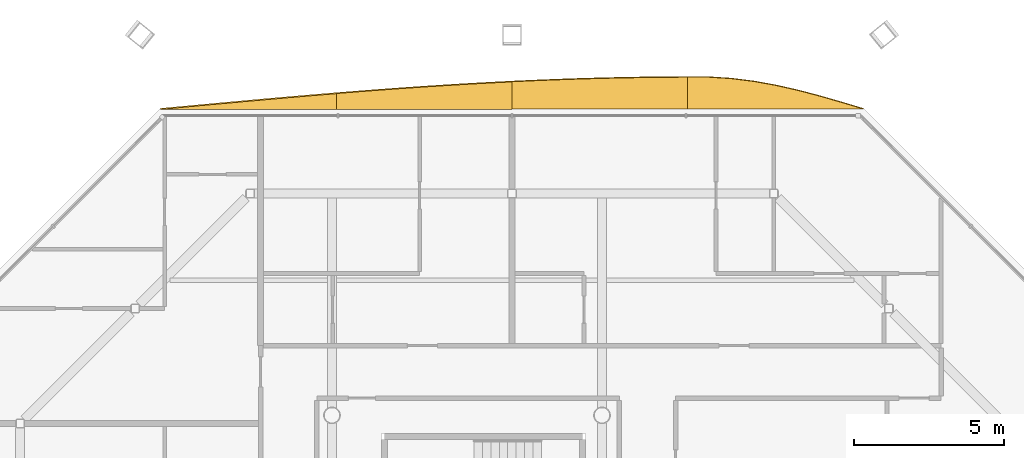
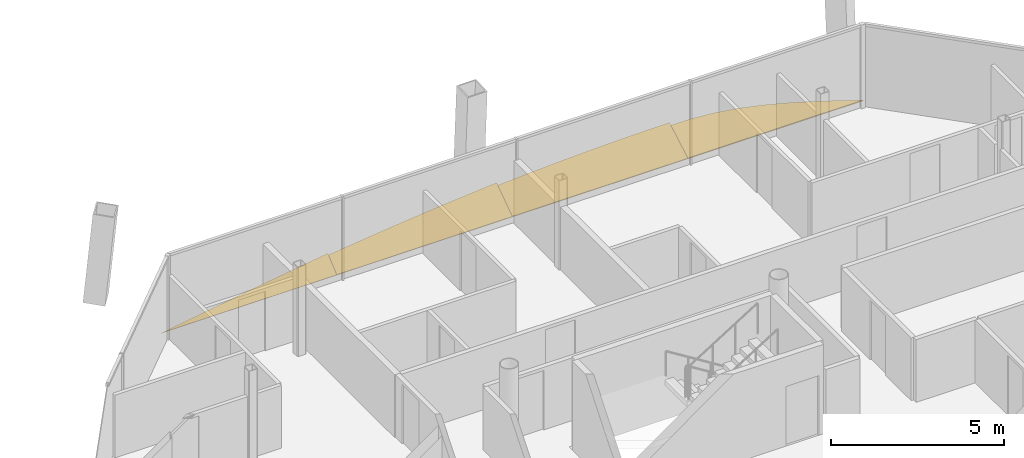
# One storey, part 18 of 18: 4 shading devices.
"""IFC4 building model written with IfcOpenShell, lengths in metres."""

from ifc_helpers import new_model, si_unit, direction, frame, origin, place, context, subcontext, project, spatial, polyline, outline, extrude, material, layer, layer_set, type_object, element, save


model = new_model("IFC4")

# Units and contexts
model_context = context("Model", 3, precision=1e-05, world=origin(), true_north=direction((0.0, 1.0)))
body_context = subcontext(model_context, "Body", "Model", "MODEL_VIEW")
ifc_project = project(units=[si_unit("LENGTHUNIT", "METRE"), si_unit("AREAUNIT", "SQUARE_METRE"), si_unit("VOLUMEUNIT", "CUBIC_METRE"), si_unit("PLANEANGLEUNIT", "RADIAN"), si_unit("MASSUNIT", "GRAM", prefix="KILO")], contexts=[model_context])

# Site, building, storey
site_placement = place(None, origin())
site = spatial("IfcSite", under=ifc_project, at=site_placement, CompositionType="ELEMENT")
building_placement = place(site_placement, origin())
building = spatial("IfcBuilding", under=site, at=building_placement, Name="Tskaro Facet Tower", CompositionType="ELEMENT")
storey_placement = place(building_placement, frame((0.0, 0.0, 223.5)))
storey = spatial("IfcBuildingStorey", under=building, at=storey_placement, Name="L57", CompositionType="ELEMENT", Elevation=223.5)

# Shading devices
ifc_material = material(Name="Bronze anodised aluminium 6063-T6", Category="aluminium")
ifc_layer = layer(ifc_material, 0.06005859375, Name="Bronze anodised aluminium 6063-T6")
ifc_layer_set = layer_set([ifc_layer], Name="Bronze anodised aluminium 6063-T6")
shading_device_type = type_object("IfcShadingDeviceType", Name="Bronze sun blade (FN1)", PredefinedType="USERDEFINED", material=ifc_layer_set)
shading_device_1_placement = place(storey_placement, frame((8.712890625, 19.209716796875, 0.054443359375), z_axis=(-6.908961e-06, -0.422571751973, 0.906329473419), x_axis=(-0.999999999976, 2.919532e-06, -6.261795e-06)))
element("IfcShadingDevice", 1, at=shading_device_1_placement, inside=storey, type_object=shading_device_type, Name="Fin blade north 1", ObjectType="FIN", PredefinedType="USERDEFINED", context=body_context, shape_type="SweptSolid", body=[
    extrude(outline(polyline([(0.0, 0.0), (5.856445312360226, 2.4803010667402535e-21), (5.856445312811587, -1.1747048841438614), (5.528320312716212, -1.175250594763701), (5.124267577554204, -1.1674925411734816), (4.392333984050525, -1.1144106301749184), (3.6601562499346296, -1.0133794756004497), (2.9282226556308575, -0.8687647624087927), (2.1960449225242473, -0.6865842453990114), (1.464111328075165, -0.4749054789562346), (0.7319335938653966, -0.242696042822826), (0.0, 0.0)])), origin(), (0.0, 0.0, -1.0), 0.06005859375),
])
shading_device_2_placement = place(storey_placement, frame((2.8564453125, 19.205078125, 0.052001953125), z_axis=(-2.896171e-06, -0.500005857867, 0.866022021712), x_axis=(-0.999999999996, 1.448102e-06, -2.508148e-06)))
element("IfcShadingDevice", 2, at=shading_device_2_placement, inside=storey, type_object=shading_device_type, Name="Fin blade north 2", ObjectType="FIN", PredefinedType="USERDEFINED", context=body_context, shape_type="SweptSolid", body=[
    extrude(outline(polyline([(0.0, 0.0), (5.856445312475439, 0.0), (5.856445312484196, -1.05321555384609), (5.124267578172412, -1.0918252901123773), (4.392333984340043, -1.1259534821725432), (3.6601562499958935, -1.1552666271262981), (2.92822265613116, -1.1800982278739318), (2.1960449220134435, -1.1997812786148656), (1.464111328021603, -1.2147713539920324), (0.7319335937767802, -1.2246128793624993), (-8.33670881610116e-11, -1.22942792646891), (0.0, 0.0)])), origin(), (0.0, 0.0, -1.0), 0.06005859375),
])
shading_device_3_placement = place(storey_placement, frame((-3.0, 19.20068359375, 0.049072265625), z_axis=(1.1422536e-05, -0.573694362664, 0.819069458664), x_axis=(-0.999999999935, -6.553045e-06, 9.355851e-06)))
element("IfcShadingDevice", 3, at=shading_device_3_placement, inside=storey, type_object=shading_device_type, Name="Fin blade north 3", ObjectType="FIN", PredefinedType="USERDEFINED", context=body_context, shape_type="SweptSolid", body=[
    extrude(outline(polyline([(0.0, 0.0), (5.856445312117942, 0.0), (5.856445311191866, -0.6393049125311673), (5.124511718858078, -0.7106277283435313), (4.392333984309085, -0.7791703962878844), (3.6604003897104374, -0.8443929180048182), (2.928222655412033, -0.906095325364763), (2.196289062663841, -0.9642776183677186), (1.464111328847334, -1.0182597365540078), (0.7321777352124809, -1.0680416799236303), (-1.774829695532412e-09, -1.1134833863763172), (0.0, 0.0)])), origin(), (0.0, 0.0, -1.0), 0.06005859375),
])
shading_device_4_placement = place(storey_placement, frame((-8.8564453125, 19.196533203125, 0.0458984375), z_axis=(2.9433768e-05, -0.643010784702, 0.765857121068), x_axis=(-0.999999999567, -1.892623e-05, 2.254206e-05)))
element("IfcShadingDevice", 4, at=shading_device_4_placement, inside=storey, type_object=shading_device_type, Name="Fin blade north 4", ObjectType="FIN", PredefinedType="USERDEFINED", context=body_context, shape_type="SweptSolid", body=[
    extrude(outline(polyline([(0.0, 0.0), (5.856445309963145, -9.921204266961014e-21), (5.12451171605164, -0.08924500206600502), (4.392333980632468, -0.17814604224080394), (3.6604003941967442, -0.2663291668518383), (2.9282226543637186, -0.35351039757060654), (2.196289060865825, -0.4389418270519918), (1.4641113278326146, -0.5228104321322734), (0.7321777347483333, -0.604428289029039), (-5.140240042649408e-09, -0.6836384126873617), (0.0, 0.0)])), origin(), (0.0, 0.0, -1.0), 0.06005859375),
])

save(model, "model.ifc")
